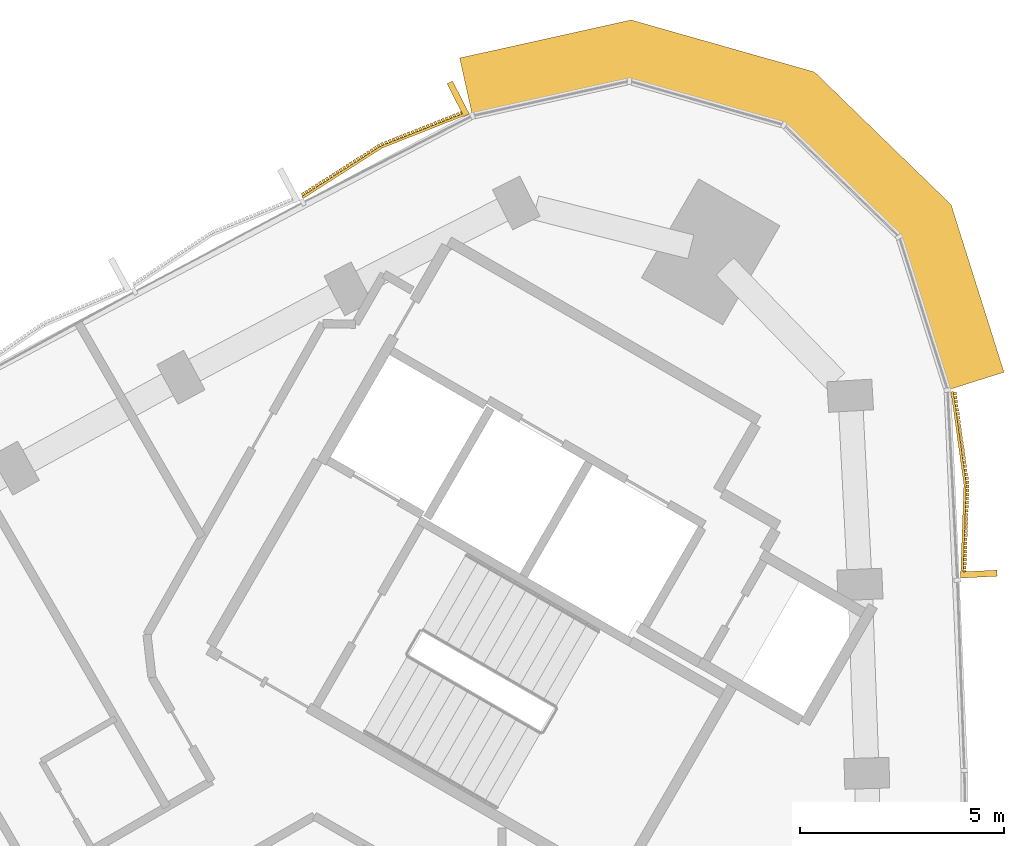
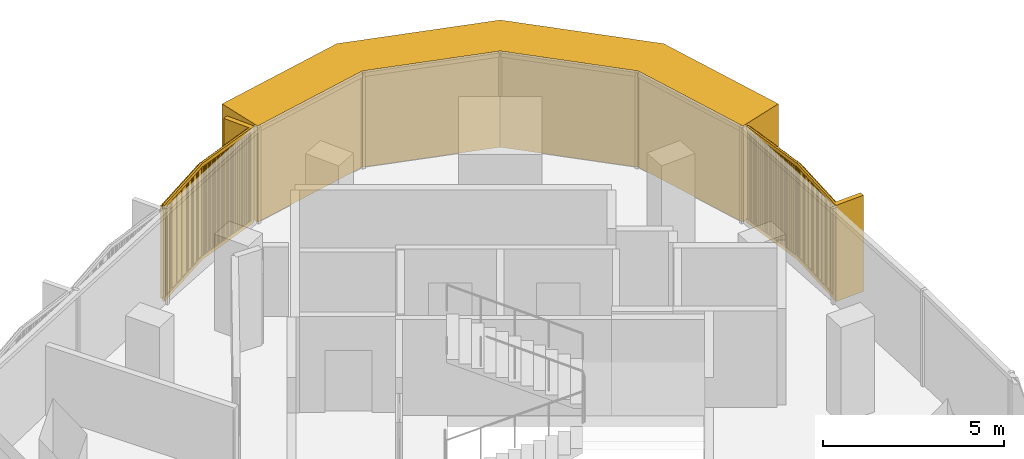
# One storey, part 16 of 16: 3 coverings.
"""IFC4 building model written with IfcOpenShell, lengths in metres."""

import ifcopenshell
import ifcopenshell.guid

model = None  # the IFC model being written
_history = None  # IfcOwnerHistory: only IFC2X3 demands one
_inside = {}  # id of a spatial element -> (the spatial element, [elements in it])
_under = {}  # id of a project, library or spatial element -> (it, [spatial elements below it])
_declared = {}  # id of a project -> (the project, [libraries it declares])
_typed = {}  # id of a type object -> (the type object, [elements of that type])
_made_of = {}  # id of a material, layer set ... -> (it, [elements and type objects made of it])


def new_model(schema):
    """Start an empty IFC model of exactly this schema.

    Asked for "IFC4X3", IfcOpenShell would pick the latest addendum, in which some entities
    have other attributes; the version numbers below select the first issue.
    IFC2X3 requires an IfcOwnerHistory on every rooted entity: one is made here for all.
    """
    global model, _history
    if schema == "IFC4X3":
        model = ifcopenshell.file(schema_version=(4, 3, 0, 0))
    else:
        model = ifcopenshell.file(schema=schema)
    _inside.clear()
    _under.clear()
    _declared.clear()
    _typed.clear()
    _made_of.clear()
    _history = None
    if model.schema == "IFC2X3":
        org = make("IfcOrganization", Name="unknown")
        user = make(
            "IfcPersonAndOrganization",
            ThePerson=make("IfcPerson", FamilyName="unknown"),
            TheOrganization=org,
        )
        app = make(
            "IfcApplication",
            ApplicationDeveloper=org,
            Version="unknown",
            ApplicationFullName="unknown",
            ApplicationIdentifier="unknown",
        )
        _history = make(
            "IfcOwnerHistory",
            OwningUser=user,
            OwningApplication=app,
            ChangeAction="ADDED",
            CreationDate=0,
        )
    return model


def make(cls, **values):
    """One entity of the class cls with the attributes given. An attribute that is None is left unset."""
    return model.create_entity(
        cls, **{name: value for name, value in values.items() if value is not None}
    )


def rooted(cls, **values):
    """An entity with a GlobalId (a new one), such as an element, a storey or a relation."""
    return make(cls, GlobalId=ifcopenshell.guid.new(), OwnerHistory=_history, **values)


def si_unit(unit_type, name, prefix=None):
    """IfcSIUnit, for example si_unit("LENGTHUNIT", "METRE", prefix="MILLI")."""
    return make("IfcSIUnit", UnitType=unit_type, Prefix=prefix, Name=name)


def assignment(units):
    """IfcUnitAssignment: the units of a project."""
    return None if units is None else make("IfcUnitAssignment", Units=units)


def point(xyz):
    """IfcCartesianPoint."""
    return None if xyz is None else make("IfcCartesianPoint", Coordinates=xyz)


def direction(xyz):
    """IfcDirection."""
    return None if xyz is None else make("IfcDirection", DirectionRatios=xyz)


def frame(location, z_axis=None, x_axis=None):
    """IfcAxis2Placement3D, a coordinate frame: its origin and axes. An axis left out is left unset."""
    return make(
        "IfcAxis2Placement3D",
        Location=point(location),
        Axis=direction(z_axis),
        RefDirection=direction(x_axis),
    )


def frame_2d(location, x_axis=None):
    """IfcAxis2Placement2D, a coordinate frame in the plane: its origin and x axis."""
    return make(
        "IfcAxis2Placement2D", Location=point(location), RefDirection=direction(x_axis)
    )


def origin():
    """The frame at (0, 0, 0) with its axes left unset."""
    return frame((0.0, 0.0, 0.0))


def place(relative_to, where):
    """IfcLocalPlacement: puts the frame where relative to a parent placement (None: the world)."""
    return make(
        "IfcLocalPlacement", PlacementRelTo=relative_to, RelativePlacement=where
    )


def context(
    kind, dimensions, precision=None, world=None, true_north=None, identifier=None
):
    """IfcGeometricRepresentationContext, for example the 3D "Model" context."""
    return make(
        "IfcGeometricRepresentationContext",
        ContextIdentifier=identifier,
        ContextType=kind,
        CoordinateSpaceDimension=dimensions,
        Precision=precision,
        WorldCoordinateSystem=world,
        TrueNorth=true_north,
    )


def subcontext(parent, identifier, kind, view, scale=None):
    """IfcGeometricRepresentationSubContext, for example "Body" below "Model"."""
    return make(
        "IfcGeometricRepresentationSubContext",
        ContextIdentifier=identifier,
        ContextType=kind,
        ParentContext=parent,
        TargetScale=scale,
        TargetView=view,
    )


def project(units=None, contexts=None):
    """IfcProject with its units and contexts."""
    return rooted(
        "IfcProject",
        Name="project",
        RepresentationContexts=contexts,
        UnitsInContext=assignment(units),
    )


def spatial(cls, under=None, at=None, **own):
    """A site, building, storey or space (cls), placed at a placement, below another one or the project."""
    s = rooted(cls, ObjectPlacement=at, **own)
    if under is not None:
        _under.setdefault(under.id(), (under, []))[1].append(s)
    return s


def polyline(points):
    """IfcPolyline through the points."""
    return make("IfcPolyline", Points=[point(p) for p in points])


def profile(cls, at=None, kind="AREA", **sizes):
    """A parametric profile (cls). Its sizes go by their IFC names, for example OverallWidth=200.0."""
    return make(cls, ProfileType=kind, Position=at, **sizes)


def rectangle(**sizes):
    """IfcRectangleProfileDef."""
    return profile("IfcRectangleProfileDef", **sizes)


def outline(outer, holes=None, kind="AREA"):
    """IfcArbitraryClosedProfileDef: a profile drawn as a closed curve; with holes, ...WithVoids."""
    if holes is None:
        return make("IfcArbitraryClosedProfileDef", ProfileType=kind, OuterCurve=outer)
    return make(
        "IfcArbitraryProfileDefWithVoids",
        ProfileType=kind,
        OuterCurve=outer,
        InnerCurves=holes,
    )


def extrude(swept, where, along, depth):
    """IfcExtrudedAreaSolid: the profile swept, set in the frame where, extruded along a direction by depth."""
    return make(
        "IfcExtrudedAreaSolid",
        SweptArea=swept,
        Position=where,
        ExtrudedDirection=direction(along),
        Depth=depth,
    )


def shape(context_of_items, identifier, shape_type, items):
    """IfcShapeRepresentation: the items that make up one representation, for example the "Body"."""
    return make(
        "IfcShapeRepresentation",
        ContextOfItems=context_of_items,
        RepresentationIdentifier=identifier,
        RepresentationType=shape_type,
        Items=items,
    )


def source(mapping_origin, context_of_items, identifier, shape_type, items):
    """IfcRepresentationMap: a shape defined once, which mapped items show again and again."""
    return make(
        "IfcRepresentationMap",
        MappingOrigin=mapping_origin,
        MappedRepresentation=shape(context_of_items, identifier, shape_type, items),
    )


def transform(
    local_origin,
    x_axis=None,
    y_axis=None,
    z_axis=None,
    scale=None,
    scale2=None,
    scale3=None,
    uniform=True,
):
    """IfcCartesianTransformationOperator3D, or its non-uniform kind. x_axis, y_axis, z_axis: its Axis1, 2, 3."""
    if uniform:
        return make(
            "IfcCartesianTransformationOperator3D",
            Axis1=direction(x_axis),
            Axis2=direction(y_axis),
            LocalOrigin=point(local_origin),
            Scale=scale,
            Axis3=direction(z_axis),
        )
    return make(
        "IfcCartesianTransformationOperator3DnonUniform",
        Axis1=direction(x_axis),
        Axis2=direction(y_axis),
        LocalOrigin=point(local_origin),
        Scale=scale,
        Axis3=direction(z_axis),
        Scale2=scale2,
        Scale3=scale3,
    )


def mapped(mapping_source, mapping_target):
    """IfcMappedItem: shows the shape of a source again, moved by a transform."""
    return make(
        "IfcMappedItem", MappingSource=mapping_source, MappingTarget=mapping_target
    )


def material(Name=None, Category=None):
    """IfcMaterial."""
    return make("IfcMaterial", Name=Name, Category=Category)


def layer(
    of_material, thickness, ventilated=None, Name=None, Category=None, Priority=None
):
    """IfcMaterialLayer: one layer of a wall or slab, of a material (None: an air gap)."""
    return make(
        "IfcMaterialLayer",
        Material=of_material,
        LayerThickness=thickness,
        IsVentilated=ventilated,
        Name=Name,
        Category=Category,
        Priority=Priority,
    )


def layer_set(layers, Name=None):
    """IfcMaterialLayerSet."""
    return make("IfcMaterialLayerSet", MaterialLayers=layers, LayerSetName=Name)


def made_of(thing, what):
    """Note that an element or type object is made of a material, layer set ...; save() writes the relation."""
    if what is not None:
        _made_of.setdefault(what.id(), (what, []))[1].append(thing)
    return thing


def type_object(cls, material=None, **own):
    """A type object (cls), such as IfcWallType, which elements share."""
    return made_of(rooted(cls, **own), material)


def element(
    cls,
    number,
    at=None,
    inside=None,
    cuts=None,
    type_object=None,
    material=None,
    context=None,
    identifier="Body",
    shape_type=None,
    held_by="IfcProductDefinitionShape",
    body=None,
    shapes=None,
    **own,
):
    """One element of the class cls, such as IfcWall. Its Tag is "e" and its number.

    at: its placement. inside: the storey or other place that contains it. cuts: it is an
    opening in that element (IfcRelVoidsElement). A single representation is given by context,
    identifier, shape_type and body (its items); several are given by shapes. held_by: the class
    of the entity that holds the representations. save() writes the other relations.
    """
    e = rooted(cls, Tag="e%d" % number, ObjectPlacement=at, **own)
    if body is not None:
        shapes = [shape(context, identifier, shape_type, body)]
    if shapes is not None:
        e.Representation = make(held_by, Representations=shapes)
    if inside is not None:
        _inside.setdefault(inside.id(), (inside, []))[1].append(e)
    if cuts is not None:
        rooted(
            "IfcRelVoidsElement", RelatingBuildingElement=cuts, RelatedOpeningElement=e
        )
    if type_object is not None:
        _typed.setdefault(type_object.id(), (type_object, []))[1].append(e)
    return made_of(e, material)


def aggregate(whole, parts):
    """IfcRelAggregates: a whole, such as a stair, and the parts it consists of."""
    return rooted("IfcRelAggregates", RelatingObject=whole, RelatedObjects=parts)


def save(model, path):
    """Write the relations noted so far, then the file.

    IfcRelAggregates (storeys below a building ...), IfcRelContainedInSpatialStructure (elements
    in a storey), IfcRelDefinesByType, IfcRelAssociatesMaterial and IfcRelDeclares: one each for
    every whole, place, type object, material and project.
    """
    for whole, parts in _under.values():
        aggregate(whole, parts)
    for where, things in _inside.values():
        rooted(
            "IfcRelContainedInSpatialStructure",
            RelatedElements=things,
            RelatingStructure=where,
        )
    for kind, things in _typed.values():
        rooted("IfcRelDefinesByType", RelatedObjects=things, RelatingType=kind)
    for what, things in _made_of.values():
        rooted("IfcRelAssociatesMaterial", RelatedObjects=things, RelatingMaterial=what)
    for by, libraries in _declared.values():
        rooted("IfcRelDeclares", RelatingContext=by, RelatedDefinitions=libraries)
    model.write(path)


model = new_model("IFC4")

# Units and contexts
model_context = context("Model", 3, precision=1e-05, world=origin(), true_north=direction((0.0, 1.0)))
body_context = subcontext(model_context, "Body", "Model", "MODEL_VIEW")
ifc_project = project(units=[si_unit("LENGTHUNIT", "METRE"), si_unit("AREAUNIT", "SQUARE_METRE"), si_unit("VOLUMEUNIT", "CUBIC_METRE"), si_unit("PLANEANGLEUNIT", "RADIAN"), si_unit("MASSUNIT", "GRAM", prefix="KILO")], contexts=[model_context])

# Site, building, storey
site_placement = place(None, origin())
site = spatial("IfcSite", under=ifc_project, at=site_placement, CompositionType="ELEMENT")
building_placement = place(site_placement, origin())
building = spatial("IfcBuilding", under=site, at=building_placement, Name="Tamra Quay Hotel Tower", CompositionType="ELEMENT")
storey_placement = place(building_placement, frame((0.0, 0.0, 239.39990234375)))
storey = spatial("IfcBuildingStorey", under=building, at=storey_placement, Name="L60", CompositionType="ELEMENT", Elevation=239.39990234375)

# Coverings
ifc_material_1 = material(Name="Precast concrete M60 terracotta-coloured", Category="masonry")
ifc_layer = layer(ifc_material_1, 1.449951171875)
ifc_layer_set = layer_set([ifc_layer], Name="CORNER PIER PANEL")
covering_type_1 = type_object("IfcCoveringType", Name="CORNER PIER PANEL", PredefinedType="CLADDING", material=ifc_layer_set)
covering_1_placement = place(storey_placement, origin())
element("IfcCovering", 1, at=covering_1_placement, inside=storey, type_object=covering_type_1, Name="Corner pier L60.east", PredefinedType="CLADDING", context=body_context, shape_type="SweptSolid", body=[
    extrude(outline(polyline([(18.50732421875, 18.63037109375), (19.89013671875, 19.066650390625), (18.5966796875, 23.165771484375), (15.250732421875, 26.415283203125), (10.763671875, 27.68798828125), (6.567138671875, 26.758544921875), (6.880615234375, 25.343017578125), (10.719970703125, 26.193115234375), (14.503173828125, 25.1201171875), (17.323974609375, 22.38037109375), (18.50732421875, 18.63037109375)])), origin(), (0.0, 0.0, 1.0), 3.25),
])
ifc_material_2 = material(Name="Terracotta baguette extruded", Category="masonry")
covering_type_2 = type_object("IfcCoveringType", Name="BAGUETTE SCREEN E-V H3250", PredefinedType="USERDEFINED", material=ifc_material_2)
shared_shape_1 = source(origin(), body_context, "Body", "SweptSolid", [
    extrude(rectangle(XDim=2.291259765625, YDim=0.06005859375, at=frame_2d((1.1455078125, 0.030029296875))), frame((-2.287841796875, -0.057861328125, -0.1201171875), z_axis=(0.0, 0.0, 1.0), x_axis=(0.996194698092, -0.087155742748, 0.0)), (0.0, 0.0, 1.0), 0.1201171875),
    extrude(rectangle(XDim=2.291259765625, YDim=0.06005859375, at=frame_2d((1.1455078125, 0.030029296875))), frame((-2.287841796875, -0.057861328125, -3.25), z_axis=(0.0, 0.0, 1.0), x_axis=(0.996194698092, -0.087155742748, 0.0)), (0.0, 0.0, 1.0), 0.1201171875),
    extrude(rectangle(XDim=0.070068359375, YDim=0.10009765625, at=frame_2d((0.03515625, 0.050048828125))), frame((-2.267822265625, -0.13232421875, -3.18994140625)), (0.0, 0.0, 1.0), 3.1298828125),
    extrude(rectangle(XDim=0.070068359375, YDim=0.10009765625, at=frame_2d((0.03515625, 0.050048828125))), frame((-2.168701171875, -0.14111328125, -3.18994140625)), (0.0, 0.0, 1.0), 3.1298828125),
    extrude(rectangle(XDim=0.070068359375, YDim=0.10009765625, at=frame_2d((0.03515625, 0.050048828125))), frame((-2.0693359375, -0.149658203125, -3.18994140625)), (0.0, 0.0, 1.0), 3.1298828125),
    extrude(rectangle(XDim=0.070068359375, YDim=0.10009765625, at=frame_2d((0.03515625, 0.050048828125))), frame((-1.97021484375, -0.158447265625, -3.18994140625)), (0.0, 0.0, 1.0), 3.1298828125),
    extrude(rectangle(XDim=0.070068359375, YDim=0.10009765625, at=frame_2d((0.03515625, 0.050048828125))), frame((-1.870849609375, -0.1669921875, -3.18994140625)), (0.0, 0.0, 1.0), 3.1298828125),
    extrude(rectangle(XDim=0.070068359375, YDim=0.10009765625, at=frame_2d((0.03515625, 0.050048828125))), frame((-1.771728515625, -0.17578125, -3.18994140625)), (0.0, 0.0, 1.0), 3.1298828125),
    extrude(rectangle(XDim=0.070068359375, YDim=0.10009765625, at=frame_2d((0.03515625, 0.050048828125))), frame((-1.67236328125, -0.184326171875, -3.18994140625)), (0.0, 0.0, 1.0), 3.1298828125),
    extrude(rectangle(XDim=0.070068359375, YDim=0.10009765625, at=frame_2d((0.03515625, 0.050048828125))), frame((-1.5732421875, -0.193115234375, -3.18994140625)), (0.0, 0.0, 1.0), 3.1298828125),
    extrude(rectangle(XDim=0.070068359375, YDim=0.10009765625, at=frame_2d((0.03515625, 0.050048828125))), frame((-1.473876953125, -0.201904296875, -3.18994140625)), (0.0, 0.0, 1.0), 3.1298828125),
    extrude(rectangle(XDim=0.070068359375, YDim=0.10009765625, at=frame_2d((0.03515625, 0.050048828125))), frame((-1.374755859375, -0.21044921875, -3.18994140625)), (0.0, 0.0, 1.0), 3.1298828125),
    extrude(rectangle(XDim=0.070068359375, YDim=0.10009765625, at=frame_2d((0.03515625, 0.050048828125))), frame((-1.275390625, -0.21923828125, -3.18994140625)), (0.0, 0.0, 1.0), 3.1298828125),
    extrude(rectangle(XDim=0.070068359375, YDim=0.10009765625, at=frame_2d((0.03515625, 0.050048828125))), frame((-1.17626953125, -0.227783203125, -3.18994140625)), (0.0, 0.0, 1.0), 3.1298828125),
    extrude(rectangle(XDim=0.070068359375, YDim=0.10009765625, at=frame_2d((0.03515625, 0.050048828125))), frame((-1.076904296875, -0.236572265625, -3.18994140625)), (0.0, 0.0, 1.0), 3.1298828125),
    extrude(rectangle(XDim=0.070068359375, YDim=0.10009765625, at=frame_2d((0.03515625, 0.050048828125))), frame((-0.977783203125, -0.2451171875, -3.18994140625)), (0.0, 0.0, 1.0), 3.1298828125),
    extrude(rectangle(XDim=0.070068359375, YDim=0.10009765625, at=frame_2d((0.03515625, 0.050048828125))), frame((-0.87841796875, -0.25390625, -3.18994140625)), (0.0, 0.0, 1.0), 3.1298828125),
    extrude(rectangle(XDim=0.070068359375, YDim=0.10009765625, at=frame_2d((0.03515625, 0.050048828125))), frame((-0.779296875, -0.2626953125, -3.18994140625)), (0.0, 0.0, 1.0), 3.1298828125),
    extrude(rectangle(XDim=0.070068359375, YDim=0.10009765625, at=frame_2d((0.03515625, 0.050048828125))), frame((-0.679931640625, -0.271240234375, -3.18994140625)), (0.0, 0.0, 1.0), 3.1298828125),
    extrude(rectangle(XDim=0.070068359375, YDim=0.10009765625, at=frame_2d((0.03515625, 0.050048828125))), frame((-0.580810546875, -0.280029296875, -3.18994140625)), (0.0, 0.0, 1.0), 3.1298828125),
    extrude(rectangle(XDim=0.070068359375, YDim=0.10009765625, at=frame_2d((0.03515625, 0.050048828125))), frame((-0.481689453125, -0.28857421875, -3.18994140625)), (0.0, 0.0, 1.0), 3.1298828125),
    extrude(rectangle(XDim=0.070068359375, YDim=0.10009765625, at=frame_2d((0.03515625, 0.050048828125))), frame((-0.38232421875, -0.29736328125, -3.18994140625)), (0.0, 0.0, 1.0), 3.1298828125),
    extrude(rectangle(XDim=0.070068359375, YDim=0.10009765625, at=frame_2d((0.03515625, 0.050048828125))), frame((-0.283203125, -0.305908203125, -3.18994140625)), (0.0, 0.0, 1.0), 3.1298828125),
    extrude(rectangle(XDim=0.070068359375, YDim=0.10009765625, at=frame_2d((0.03515625, 0.050048828125))), frame((-0.183837890625, -0.314697265625, -3.18994140625)), (0.0, 0.0, 1.0), 3.1298828125),
    extrude(rectangle(XDim=0.070068359375, YDim=0.10009765625, at=frame_2d((0.03515625, 0.050048828125))), frame((-0.084716796875, -0.3232421875, -3.18994140625)), (0.0, 0.0, 1.0), 3.1298828125),
    extrude(rectangle(XDim=2.291259765625, YDim=0.06005859375, at=frame_2d((1.1455078125, 0.030029296875))), frame((0.005126953125, -0.257568359375, -0.1201171875), z_axis=(0.0, 0.0, 1.0), x_axis=(0.996194698092, 0.087155742748, 0.0)), (0.0, 0.0, 1.0), 0.1201171875),
    extrude(rectangle(XDim=2.291259765625, YDim=0.06005859375, at=frame_2d((1.1455078125, 0.030029296875))), frame((0.005126953125, -0.257568359375, -3.25), z_axis=(0.0, 0.0, 1.0), x_axis=(0.996194698092, 0.087155742748, 0.0)), (0.0, 0.0, 1.0), 0.1201171875),
    extrude(rectangle(XDim=0.070068359375, YDim=0.10009765625, at=frame_2d((0.03515625, 0.050048828125))), frame((0.0146484375, -0.3232421875, -3.18994140625)), (0.0, 0.0, 1.0), 3.1298828125),
    extrude(rectangle(XDim=0.070068359375, YDim=0.10009765625, at=frame_2d((0.03515625, 0.050048828125))), frame((0.11376953125, -0.314697265625, -3.18994140625)), (0.0, 0.0, 1.0), 3.1298828125),
    extrude(rectangle(XDim=0.070068359375, YDim=0.10009765625, at=frame_2d((0.03515625, 0.050048828125))), frame((0.213134765625, -0.305908203125, -3.18994140625)), (0.0, 0.0, 1.0), 3.1298828125),
    extrude(rectangle(XDim=0.070068359375, YDim=0.10009765625, at=frame_2d((0.03515625, 0.050048828125))), frame((0.312255859375, -0.29736328125, -3.18994140625)), (0.0, 0.0, 1.0), 3.1298828125),
    extrude(rectangle(XDim=0.070068359375, YDim=0.10009765625, at=frame_2d((0.03515625, 0.050048828125))), frame((0.41162109375, -0.28857421875, -3.18994140625)), (0.0, 0.0, 1.0), 3.1298828125),
    extrude(rectangle(XDim=0.070068359375, YDim=0.10009765625, at=frame_2d((0.03515625, 0.050048828125))), frame((0.5107421875, -0.280029296875, -3.18994140625)), (0.0, 0.0, 1.0), 3.1298828125),
    extrude(rectangle(XDim=0.070068359375, YDim=0.10009765625, at=frame_2d((0.03515625, 0.050048828125))), frame((0.610107421875, -0.271240234375, -3.18994140625)), (0.0, 0.0, 1.0), 3.1298828125),
    extrude(rectangle(XDim=0.070068359375, YDim=0.10009765625, at=frame_2d((0.03515625, 0.050048828125))), frame((0.709228515625, -0.2626953125, -3.18994140625)), (0.0, 0.0, 1.0), 3.1298828125),
    extrude(rectangle(XDim=0.070068359375, YDim=0.10009765625, at=frame_2d((0.03515625, 0.050048828125))), frame((0.80859375, -0.25390625, -3.18994140625)), (0.0, 0.0, 1.0), 3.1298828125),
    extrude(rectangle(XDim=0.070068359375, YDim=0.10009765625, at=frame_2d((0.03515625, 0.050048828125))), frame((0.90771484375, -0.2451171875, -3.18994140625)), (0.0, 0.0, 1.0), 3.1298828125),
    extrude(rectangle(XDim=0.070068359375, YDim=0.10009765625, at=frame_2d((0.03515625, 0.050048828125))), frame((1.007080078125, -0.236572265625, -3.18994140625)), (0.0, 0.0, 1.0), 3.1298828125),
    extrude(rectangle(XDim=0.070068359375, YDim=0.10009765625, at=frame_2d((0.03515625, 0.050048828125))), frame((1.106201171875, -0.227783203125, -3.18994140625)), (0.0, 0.0, 1.0), 3.1298828125),
    extrude(rectangle(XDim=0.070068359375, YDim=0.10009765625, at=frame_2d((0.03515625, 0.050048828125))), frame((1.20556640625, -0.21923828125, -3.18994140625)), (0.0, 0.0, 1.0), 3.1298828125),
    extrude(rectangle(XDim=0.070068359375, YDim=0.10009765625, at=frame_2d((0.03515625, 0.050048828125))), frame((1.3046875, -0.21044921875, -3.18994140625)), (0.0, 0.0, 1.0), 3.1298828125),
    extrude(rectangle(XDim=0.070068359375, YDim=0.10009765625, at=frame_2d((0.03515625, 0.050048828125))), frame((1.404052734375, -0.201904296875, -3.18994140625)), (0.0, 0.0, 1.0), 3.1298828125),
    extrude(rectangle(XDim=0.070068359375, YDim=0.10009765625, at=frame_2d((0.03515625, 0.050048828125))), frame((1.503173828125, -0.193115234375, -3.18994140625)), (0.0, 0.0, 1.0), 3.1298828125),
    extrude(rectangle(XDim=0.070068359375, YDim=0.10009765625, at=frame_2d((0.03515625, 0.050048828125))), frame((1.6025390625, -0.184326171875, -3.18994140625)), (0.0, 0.0, 1.0), 3.1298828125),
    extrude(rectangle(XDim=0.070068359375, YDim=0.10009765625, at=frame_2d((0.03515625, 0.050048828125))), frame((1.70166015625, -0.17578125, -3.18994140625)), (0.0, 0.0, 1.0), 3.1298828125),
    extrude(rectangle(XDim=0.070068359375, YDim=0.10009765625, at=frame_2d((0.03515625, 0.050048828125))), frame((1.801025390625, -0.1669921875, -3.18994140625)), (0.0, 0.0, 1.0), 3.1298828125),
    extrude(rectangle(XDim=0.070068359375, YDim=0.10009765625, at=frame_2d((0.03515625, 0.050048828125))), frame((1.900146484375, -0.158447265625, -3.18994140625)), (0.0, 0.0, 1.0), 3.1298828125),
    extrude(rectangle(XDim=0.070068359375, YDim=0.10009765625, at=frame_2d((0.03515625, 0.050048828125))), frame((1.99951171875, -0.149658203125, -3.18994140625)), (0.0, 0.0, 1.0), 3.1298828125),
    extrude(rectangle(XDim=0.070068359375, YDim=0.10009765625, at=frame_2d((0.03515625, 0.050048828125))), frame((2.0986328125, -0.14111328125, -3.18994140625)), (0.0, 0.0, 1.0), 3.1298828125),
    extrude(rectangle(XDim=0.070068359375, YDim=0.10009765625, at=frame_2d((0.03515625, 0.050048828125))), frame((2.197998046875, -0.13232421875, -3.18994140625)), (0.0, 0.0, 1.0), 3.1298828125),
    extrude(rectangle(XDim=0.14990234375, YDim=0.902099609375, at=frame_2d((0.074951171875, 0.451171875))), frame((-2.282470703125, -0.89990234375, -3.25)), (0.0, 0.0, 1.0), 3.25),
])
covering_2_placement = place(storey_placement, frame((18.7099609375, 16.3076171875, 3.25), z_axis=(0.0, 0.0, 1.0), x_axis=(-0.05140283052, 0.998678000666, 0.0)))
element("IfcCovering", 2, at=covering_2_placement, inside=storey, type_object=covering_type_2, Name="Baguette screen L60.E.f07", ObjectType="BAGUETTE SCREEN", PredefinedType="USERDEFINED", context=body_context, shape_type="MappedRepresentation", body=[
    mapped(shared_shape_1, transform((0.0, 0.0, 0.0), scale=1.0)),
])
covering_type_3 = type_object("IfcCoveringType", Name="BAGUETTE SCREEN NW-V H3250", PredefinedType="USERDEFINED", material=ifc_material_2)
shared_shape_2 = source(origin(), body_context, "Body", "SweptSolid", [
    extrude(rectangle(XDim=2.29296875, YDim=0.06005859375, at=frame_2d((1.146484375, 0.030029296875))), frame((-2.288330078125, -0.0576171875, -0.1201171875), z_axis=(0.0, 0.0, 1.0), x_axis=(0.995396198367, -0.09584575252, 0.0)), (0.0, 0.0, 1.0), 0.1201171875),
    extrude(rectangle(XDim=2.29296875, YDim=0.06005859375, at=frame_2d((1.146484375, 0.030029296875))), frame((-2.288330078125, -0.0576171875, -3.25), z_axis=(0.0, 0.0, 1.0), x_axis=(0.995396198367, -0.09584575252, 0.0)), (0.0, 0.0, 1.0), 0.1201171875),
    extrude(rectangle(XDim=0.070068359375, YDim=0.10009765625, at=frame_2d((0.03515625, 0.050048828125))), frame((-2.267822265625, -0.1328125, -3.18994140625)), (0.0, 0.0, 1.0), 3.1298828125),
    extrude(rectangle(XDim=0.070068359375, YDim=0.10009765625, at=frame_2d((0.03515625, 0.050048828125))), frame((-2.168701171875, -0.142333984375, -3.18994140625)), (0.0, 0.0, 1.0), 3.1298828125),
    extrude(rectangle(XDim=0.070068359375, YDim=0.10009765625, at=frame_2d((0.03515625, 0.050048828125))), frame((-2.0693359375, -0.15185546875, -3.18994140625)), (0.0, 0.0, 1.0), 3.1298828125),
    extrude(rectangle(XDim=0.070068359375, YDim=0.10009765625, at=frame_2d((0.03515625, 0.050048828125))), frame((-1.97021484375, -0.161376953125, -3.18994140625)), (0.0, 0.0, 1.0), 3.1298828125),
    extrude(rectangle(XDim=0.070068359375, YDim=0.10009765625, at=frame_2d((0.03515625, 0.050048828125))), frame((-1.870849609375, -0.1708984375, -3.18994140625)), (0.0, 0.0, 1.0), 3.1298828125),
    extrude(rectangle(XDim=0.070068359375, YDim=0.10009765625, at=frame_2d((0.03515625, 0.050048828125))), frame((-1.771728515625, -0.1806640625, -3.18994140625)), (0.0, 0.0, 1.0), 3.1298828125),
    extrude(rectangle(XDim=0.070068359375, YDim=0.10009765625, at=frame_2d((0.03515625, 0.050048828125))), frame((-1.67236328125, -0.190185546875, -3.18994140625)), (0.0, 0.0, 1.0), 3.1298828125),
    extrude(rectangle(XDim=0.070068359375, YDim=0.10009765625, at=frame_2d((0.03515625, 0.050048828125))), frame((-1.5732421875, -0.19970703125, -3.18994140625)), (0.0, 0.0, 1.0), 3.1298828125),
    extrude(rectangle(XDim=0.070068359375, YDim=0.10009765625, at=frame_2d((0.03515625, 0.050048828125))), frame((-1.473876953125, -0.209228515625, -3.18994140625)), (0.0, 0.0, 1.0), 3.1298828125),
    extrude(rectangle(XDim=0.070068359375, YDim=0.10009765625, at=frame_2d((0.03515625, 0.050048828125))), frame((-1.374755859375, -0.21875, -3.18994140625)), (0.0, 0.0, 1.0), 3.1298828125),
    extrude(rectangle(XDim=0.070068359375, YDim=0.10009765625, at=frame_2d((0.03515625, 0.050048828125))), frame((-1.275390625, -0.228271484375, -3.18994140625)), (0.0, 0.0, 1.0), 3.1298828125),
    extrude(rectangle(XDim=0.070068359375, YDim=0.10009765625, at=frame_2d((0.03515625, 0.050048828125))), frame((-1.17626953125, -0.23779296875, -3.18994140625)), (0.0, 0.0, 1.0), 3.1298828125),
    extrude(rectangle(XDim=0.070068359375, YDim=0.10009765625, at=frame_2d((0.03515625, 0.050048828125))), frame((-1.076904296875, -0.24755859375, -3.18994140625)), (0.0, 0.0, 1.0), 3.1298828125),
    extrude(rectangle(XDim=0.070068359375, YDim=0.10009765625, at=frame_2d((0.03515625, 0.050048828125))), frame((-0.977783203125, -0.257080078125, -3.18994140625)), (0.0, 0.0, 1.0), 3.1298828125),
    extrude(rectangle(XDim=0.070068359375, YDim=0.10009765625, at=frame_2d((0.03515625, 0.050048828125))), frame((-0.87841796875, -0.2666015625, -3.18994140625)), (0.0, 0.0, 1.0), 3.1298828125),
    extrude(rectangle(XDim=0.070068359375, YDim=0.10009765625, at=frame_2d((0.03515625, 0.050048828125))), frame((-0.779296875, -0.276123046875, -3.18994140625)), (0.0, 0.0, 1.0), 3.1298828125),
    extrude(rectangle(XDim=0.070068359375, YDim=0.10009765625, at=frame_2d((0.03515625, 0.050048828125))), frame((-0.679931640625, -0.28564453125, -3.18994140625)), (0.0, 0.0, 1.0), 3.1298828125),
    extrude(rectangle(XDim=0.070068359375, YDim=0.10009765625, at=frame_2d((0.03515625, 0.050048828125))), frame((-0.580810546875, -0.295166015625, -3.18994140625)), (0.0, 0.0, 1.0), 3.1298828125),
    extrude(rectangle(XDim=0.070068359375, YDim=0.10009765625, at=frame_2d((0.03515625, 0.050048828125))), frame((-0.481689453125, -0.3046875, -3.18994140625)), (0.0, 0.0, 1.0), 3.1298828125),
    extrude(rectangle(XDim=0.070068359375, YDim=0.10009765625, at=frame_2d((0.03515625, 0.050048828125))), frame((-0.38232421875, -0.314453125, -3.18994140625)), (0.0, 0.0, 1.0), 3.1298828125),
    extrude(rectangle(XDim=0.070068359375, YDim=0.10009765625, at=frame_2d((0.03515625, 0.050048828125))), frame((-0.283203125, -0.323974609375, -3.18994140625)), (0.0, 0.0, 1.0), 3.1298828125),
    extrude(rectangle(XDim=0.070068359375, YDim=0.10009765625, at=frame_2d((0.03515625, 0.050048828125))), frame((-0.183837890625, -0.33349609375, -3.18994140625)), (0.0, 0.0, 1.0), 3.1298828125),
    extrude(rectangle(XDim=0.070068359375, YDim=0.10009765625, at=frame_2d((0.03515625, 0.050048828125))), frame((-0.084716796875, -0.343017578125, -3.18994140625)), (0.0, 0.0, 1.0), 3.1298828125),
    extrude(rectangle(XDim=2.29296875, YDim=0.06005859375, at=frame_2d((1.146484375, 0.030029296875))), frame((0.005859375, -0.277587890625, -0.1201171875), z_axis=(0.0, 0.0, 1.0), x_axis=(0.995396198367, 0.09584575252, 0.0)), (0.0, 0.0, 1.0), 0.1201171875),
    extrude(rectangle(XDim=2.29296875, YDim=0.06005859375, at=frame_2d((1.146484375, 0.030029296875))), frame((0.005859375, -0.277587890625, -3.25), z_axis=(0.0, 0.0, 1.0), x_axis=(0.995396198367, 0.09584575252, 0.0)), (0.0, 0.0, 1.0), 0.1201171875),
    extrude(rectangle(XDim=0.070068359375, YDim=0.10009765625, at=frame_2d((0.03515625, 0.050048828125))), frame((0.0146484375, -0.343017578125, -3.18994140625)), (0.0, 0.0, 1.0), 3.1298828125),
    extrude(rectangle(XDim=0.070068359375, YDim=0.10009765625, at=frame_2d((0.03515625, 0.050048828125))), frame((0.11376953125, -0.33349609375, -3.18994140625)), (0.0, 0.0, 1.0), 3.1298828125),
    extrude(rectangle(XDim=0.070068359375, YDim=0.10009765625, at=frame_2d((0.03515625, 0.050048828125))), frame((0.213134765625, -0.323974609375, -3.18994140625)), (0.0, 0.0, 1.0), 3.1298828125),
    extrude(rectangle(XDim=0.070068359375, YDim=0.10009765625, at=frame_2d((0.03515625, 0.050048828125))), frame((0.312255859375, -0.314453125, -3.18994140625)), (0.0, 0.0, 1.0), 3.1298828125),
    extrude(rectangle(XDim=0.070068359375, YDim=0.10009765625, at=frame_2d((0.03515625, 0.050048828125))), frame((0.41162109375, -0.3046875, -3.18994140625)), (0.0, 0.0, 1.0), 3.1298828125),
    extrude(rectangle(XDim=0.070068359375, YDim=0.10009765625, at=frame_2d((0.03515625, 0.050048828125))), frame((0.5107421875, -0.295166015625, -3.18994140625)), (0.0, 0.0, 1.0), 3.1298828125),
    extrude(rectangle(XDim=0.070068359375, YDim=0.10009765625, at=frame_2d((0.03515625, 0.050048828125))), frame((0.610107421875, -0.28564453125, -3.18994140625)), (0.0, 0.0, 1.0), 3.1298828125),
    extrude(rectangle(XDim=0.070068359375, YDim=0.10009765625, at=frame_2d((0.03515625, 0.050048828125))), frame((0.709228515625, -0.276123046875, -3.18994140625)), (0.0, 0.0, 1.0), 3.1298828125),
    extrude(rectangle(XDim=0.070068359375, YDim=0.10009765625, at=frame_2d((0.03515625, 0.050048828125))), frame((0.80859375, -0.2666015625, -3.18994140625)), (0.0, 0.0, 1.0), 3.1298828125),
    extrude(rectangle(XDim=0.070068359375, YDim=0.10009765625, at=frame_2d((0.03515625, 0.050048828125))), frame((0.90771484375, -0.257080078125, -3.18994140625)), (0.0, 0.0, 1.0), 3.1298828125),
    extrude(rectangle(XDim=0.070068359375, YDim=0.10009765625, at=frame_2d((0.03515625, 0.050048828125))), frame((1.007080078125, -0.24755859375, -3.18994140625)), (0.0, 0.0, 1.0), 3.1298828125),
    extrude(rectangle(XDim=0.070068359375, YDim=0.10009765625, at=frame_2d((0.03515625, 0.050048828125))), frame((1.106201171875, -0.23779296875, -3.18994140625)), (0.0, 0.0, 1.0), 3.1298828125),
    extrude(rectangle(XDim=0.070068359375, YDim=0.10009765625, at=frame_2d((0.03515625, 0.050048828125))), frame((1.20556640625, -0.228271484375, -3.18994140625)), (0.0, 0.0, 1.0), 3.1298828125),
    extrude(rectangle(XDim=0.070068359375, YDim=0.10009765625, at=frame_2d((0.03515625, 0.050048828125))), frame((1.3046875, -0.21875, -3.18994140625)), (0.0, 0.0, 1.0), 3.1298828125),
    extrude(rectangle(XDim=0.070068359375, YDim=0.10009765625, at=frame_2d((0.03515625, 0.050048828125))), frame((1.404052734375, -0.209228515625, -3.18994140625)), (0.0, 0.0, 1.0), 3.1298828125),
    extrude(rectangle(XDim=0.070068359375, YDim=0.10009765625, at=frame_2d((0.03515625, 0.050048828125))), frame((1.503173828125, -0.19970703125, -3.18994140625)), (0.0, 0.0, 1.0), 3.1298828125),
    extrude(rectangle(XDim=0.070068359375, YDim=0.10009765625, at=frame_2d((0.03515625, 0.050048828125))), frame((1.6025390625, -0.190185546875, -3.18994140625)), (0.0, 0.0, 1.0), 3.1298828125),
    extrude(rectangle(XDim=0.070068359375, YDim=0.10009765625, at=frame_2d((0.03515625, 0.050048828125))), frame((1.70166015625, -0.1806640625, -3.18994140625)), (0.0, 0.0, 1.0), 3.1298828125),
    extrude(rectangle(XDim=0.070068359375, YDim=0.10009765625, at=frame_2d((0.03515625, 0.050048828125))), frame((1.801025390625, -0.1708984375, -3.18994140625)), (0.0, 0.0, 1.0), 3.1298828125),
    extrude(rectangle(XDim=0.070068359375, YDim=0.10009765625, at=frame_2d((0.03515625, 0.050048828125))), frame((1.900146484375, -0.161376953125, -3.18994140625)), (0.0, 0.0, 1.0), 3.1298828125),
    extrude(rectangle(XDim=0.070068359375, YDim=0.10009765625, at=frame_2d((0.03515625, 0.050048828125))), frame((1.99951171875, -0.15185546875, -3.18994140625)), (0.0, 0.0, 1.0), 3.1298828125),
    extrude(rectangle(XDim=0.070068359375, YDim=0.10009765625, at=frame_2d((0.03515625, 0.050048828125))), frame((2.0986328125, -0.142333984375, -3.18994140625)), (0.0, 0.0, 1.0), 3.1298828125),
    extrude(rectangle(XDim=0.070068359375, YDim=0.10009765625, at=frame_2d((0.03515625, 0.050048828125))), frame((2.197998046875, -0.1328125, -3.18994140625)), (0.0, 0.0, 1.0), 3.1298828125),
    extrude(rectangle(XDim=0.14990234375, YDim=0.902099609375, at=frame_2d((0.074951171875, 0.451171875))), frame((-2.282470703125, -0.89990234375, -3.25)), (0.0, 0.0, 1.0), 3.25),
])
covering_3_placement = place(storey_placement, frame((4.767822265625, 24.357177734375, 3.25), z_axis=(0.0, 0.0, 1.0), x_axis=(-0.890581934038, -0.454822843276, 0.0)))
element("IfcCovering", 3, at=covering_3_placement, inside=storey, type_object=covering_type_3, Name="Baguette screen L60.NW.f00", ObjectType="BAGUETTE SCREEN", PredefinedType="USERDEFINED", context=body_context, shape_type="MappedRepresentation", body=[
    mapped(shared_shape_2, transform((0.0, 0.0, 0.0), scale=1.0)),
])

save(model, "model.ifc")
